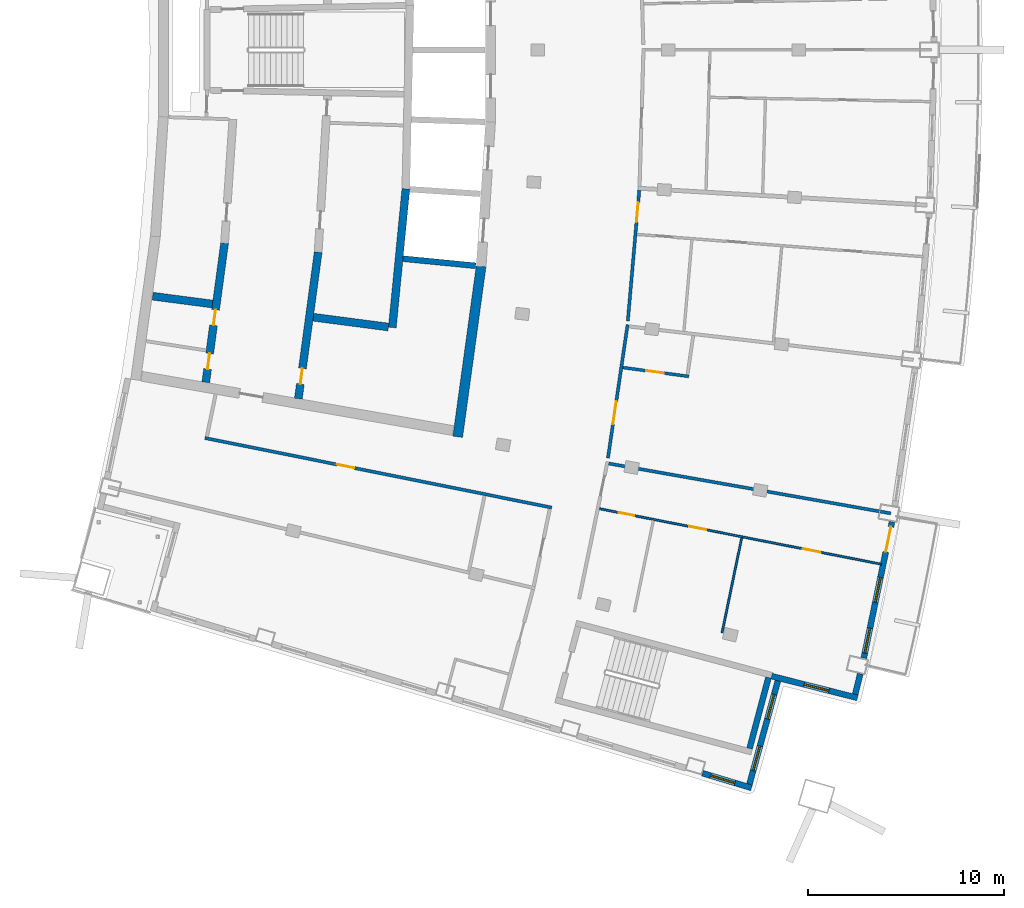
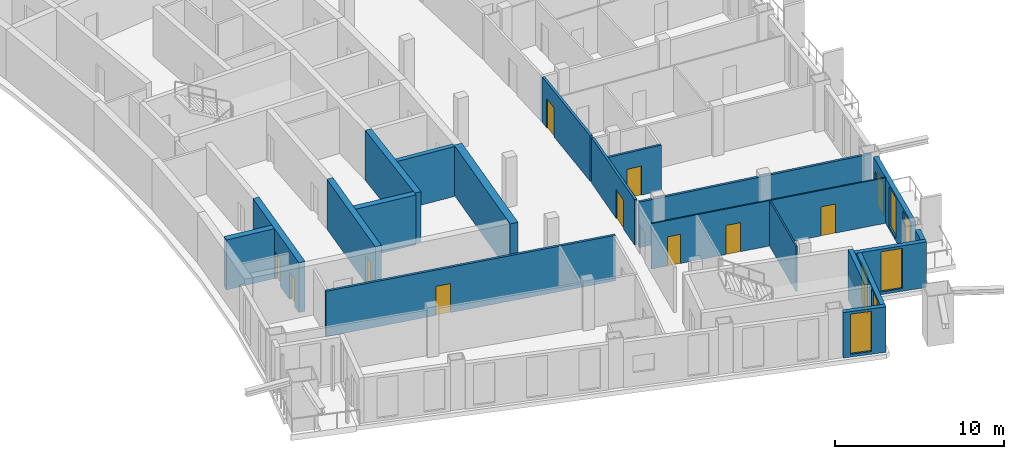
# One storey, part 6 of 15: 20 walls, 11 doors, 6 windows, 17 openings.
"""IFC4 building model written with IfcOpenShell, lengths in metres."""

from ifc_helpers import new_model, si_unit, direction, frame, frame_2d, origin, place, context, subcontext, project, spatial, rectangle, extrude, material, layer, layer_set, type_object, element, fill, save


model = new_model("IFC4")

# Units and contexts
model_context = context("Model", 3, precision=1e-05, world=origin(), true_north=direction((0.0, 1.0)))
body_context = subcontext(model_context, "Body", "Model", "MODEL_VIEW")
ifc_project = project(units=[si_unit("LENGTHUNIT", "METRE"), si_unit("AREAUNIT", "SQUARE_METRE"), si_unit("VOLUMEUNIT", "CUBIC_METRE"), si_unit("PLANEANGLEUNIT", "RADIAN"), si_unit("MASSUNIT", "GRAM", prefix="KILO")], contexts=[model_context])

# Site, building, storey
site_placement = place(None, origin())
site = spatial("IfcSite", under=ifc_project, at=site_placement, CompositionType="ELEMENT")
building_placement = place(site_placement, origin())
building = spatial("IfcBuilding", under=site, at=building_placement, Name="Alderwake Tower", CompositionType="ELEMENT")
storey_placement = place(building_placement, frame((0.0, 0.0, 285.199951171875)))
storey = spatial("IfcBuildingStorey", under=building, at=storey_placement, Name="L71", CompositionType="ELEMENT", Elevation=285.199951171875)

# Walls
ifc_material_1 = material(Name="Concrete C70/85", Category="concrete")
ifc_layer_1 = layer(ifc_material_1, 0.5)
ifc_layer_set_1 = layer_set([ifc_layer_1], Name="Core wall outer 500 C70-85")
wall_type_1 = type_object("IfcWallType", Name="Core wall outer 500 C70-85", PredefinedType="SHEAR", material=ifc_layer_set_1)
wall_1_placement = place(storey_placement, frame((31.71728515625, 41.247314453125, 0.0), z_axis=(0.0, 0.0, 1.0), x_axis=(0.1358539401, 0.990728876615, 0.0)))
element("IfcWall", 1, at=wall_1_placement, inside=storey, type_object=wall_type_1, Name="Core wall CW.022", PredefinedType="SHEAR", context=body_context, shape_type="SweptSolid", body=[
    extrude(rectangle(XDim=8.794921875, YDim=0.5, at=frame_2d((4.3974609375, 0.0))), origin(), (0.0, 0.0, 1.0), 3.60009765625),
])
ifc_material_2 = material(Name="Concrete C70/85", Category="concrete")
ifc_layer_2 = layer(ifc_material_2, 0.300048828125)
ifc_layer_set_2 = layer_set([ifc_layer_2], Name="Core wall shaft 300 C70-85")
wall_type_2 = type_object("IfcWallType", Name="Core wall shaft 300 C70-85", PredefinedType="SHEAR", material=ifc_layer_set_2)
wall_2_placement = place(storey_placement, frame((28.922119140625, 50.341796875, 0.0), z_axis=(0.0, 0.0, 1.0), x_axis=(0.995245719762, -0.097395879255, 0.0)))
element("IfcWall", 2, at=wall_2_placement, inside=storey, type_object=wall_type_2, Name="Core wall CW.064", PredefinedType="SHEAR", context=body_context, shape_type="SweptSolid", body=[
    extrude(rectangle(XDim=3.7275390625, YDim=0.300048828125, at=frame_2d((1.86376953125, 0.0))), origin(), (0.0, 0.0, 1.0), 3.60009765625),
])

# Wall, openings, doors
ifc_material_3 = material(Name="Concrete C70/85", Category="concrete")
ifc_layer_3 = layer(ifc_material_3, 0.39990234375)
ifc_layer_set_3 = layer_set([ifc_layer_3], Name="Core wall spine 400 C70-85")
wall_type_3 = type_object("IfcWallType", Name="Core wall spine 400 C70-85", PredefinedType="SHEAR", material=ifc_layer_set_3)
wall_3_placement = place(storey_placement, frame((19.814697265625, 51.143798828125, 0.0), z_axis=(0.0, 0.0, 1.0), x_axis=(-0.133823115837, -0.991005233925, 0.0)))
wall_3 = element("IfcWall", 3, at=wall_3_placement, inside=storey, type_object=wall_type_3, Name="Core wall CW.033", PredefinedType="SHEAR", context=body_context, shape_type="SweptSolid", body=[
    extrude(rectangle(XDim=7.1787109375, YDim=0.39990234375, at=frame_2d((3.58935546875, 0.0))), origin(), (0.0, 0.0, 1.0), 3.60009765625),
])
opening_1_placement = place(wall_3_placement, frame((5.69677734375, 0.0, 0.0)))
opening_1 = element("IfcOpeningElement", 4, at=opening_1_placement, cuts=wall_3, Name="Opening C009", PredefinedType="OPENING", context=body_context, shape_type="SweptSolid", body=[
    extrude(rectangle(XDim=0.800048828125, YDim=2.0, at=frame_2d((0.39990234375, 1.0))), frame((0.0, 0.2099609375, 0.0), z_axis=(0.0, -1.0, 0.0), x_axis=(1.0, 0.0, 0.0)), (0.0, 0.0, 1.0), 0.419921875),
])
opening_2_placement = place(wall_3_placement, frame((3.443115234375, 0.0, 0.0)))
opening_2 = element("IfcOpeningElement", 5, at=opening_2_placement, cuts=wall_3, Name="Opening C010", PredefinedType="OPENING", context=body_context, shape_type="SweptSolid", body=[
    extrude(rectangle(XDim=0.800048828125, YDim=2.0, at=frame_2d((0.39990234375, 1.0))), frame((0.0, 0.2099609375, 0.0), z_axis=(0.0, -1.0, 0.0), x_axis=(1.0, 0.0, 0.0)), (0.0, 0.0, 1.0), 0.419921875),
])
ifc_material_4 = material(Name="Painted steel leaf, rated", Category="steel")
door_type_1 = type_object("IfcDoorType", Name="Riser access door 800", OperationType="SINGLE_SWING_LEFT", PredefinedType="DOOR", material=ifc_material_4)
door_1_placement = place(opening_1_placement, origin())
door_1 = element("IfcDoor", 6, at=door_1_placement, inside=storey, type_object=door_type_1, Name="Riser access door", OperationType="SINGLE_SWING_LEFT", OverallHeight=2.0, OverallWidth=0.800048828125, PredefinedType="DOOR", context=body_context, shape_type="SweptSolid", body=[
    extrude(rectangle(XDim=0.800048828125, YDim=2.0, at=frame_2d((0.39990234375, 1.0))), frame((0.0, 0.02490234375, 0.0), z_axis=(0.0, -1.0, 0.0), x_axis=(1.0, 0.0, 0.0)), (0.0, 0.0, 1.0), 0.050048828125),
])
fill(opening_1, door_1)
door_2_placement = place(opening_2_placement, origin())
door_2 = element("IfcDoor", 7, at=door_2_placement, inside=storey, type_object=door_type_1, Name="Riser access door", OperationType="SINGLE_SWING_RIGHT", OverallHeight=2.0, OverallWidth=0.800048828125, PredefinedType="DOOR", context=body_context, shape_type="SweptSolid", body=[
    extrude(rectangle(XDim=0.800048828125, YDim=2.0, at=frame_2d((0.39990234375, 1.0))), frame((0.0, 0.02490234375, 0.0), z_axis=(0.0, -1.0, 0.0), x_axis=(1.0, 0.0, 0.0)), (0.0, 0.0, 1.0), 0.050048828125),
])
fill(opening_2, door_2)

# Wall, opening, door
wall_4_placement = place(storey_placement, frame((23.58056640625, 43.19384765625, 0.0), z_axis=(0.0, 0.0, 1.0), x_axis=(0.133962545762, 0.990986395635, 0.0)))
wall_4 = element("IfcWall", 8, at=wall_4_placement, inside=storey, type_object=wall_type_3, Name="Core wall CW.047", PredefinedType="SHEAR", context=body_context, shape_type="SweptSolid", body=[
    extrude(rectangle(XDim=7.546875, YDim=0.39990234375, at=frame_2d((3.7734375, 0.0))), origin(), (0.0, 0.0, 1.0), 3.60009765625),
])
opening_3_placement = place(wall_4_placement, frame((0.7578125, 0.0, 0.0)))
opening_3 = element("IfcOpeningElement", 9, at=opening_3_placement, cuts=wall_4, Name="Opening C013", PredefinedType="OPENING", context=body_context, shape_type="SweptSolid", body=[
    extrude(rectangle(XDim=0.800048828125, YDim=2.0, at=frame_2d((0.39990234375, 1.0))), frame((0.0, 0.2099609375, 0.0), z_axis=(0.0, -1.0, 0.0), x_axis=(1.0, 0.0, 0.0)), (0.0, 0.0, 1.0), 0.419921875),
])
door_3_placement = place(opening_3_placement, origin())
door_3 = element("IfcDoor", 10, at=door_3_placement, inside=storey, type_object=door_type_1, Name="Riser access door", OperationType="SINGLE_SWING_LEFT", OverallHeight=2.0, OverallWidth=0.800048828125, PredefinedType="DOOR", context=body_context, shape_type="SweptSolid", body=[
    extrude(rectangle(XDim=0.800048828125, YDim=2.0, at=frame_2d((0.39990234375, 1.0))), frame((0.0, 0.02490234375, 0.0), z_axis=(0.0, -1.0, 0.0), x_axis=(1.0, 0.0, 0.0)), (0.0, 0.0, 1.0), 0.050048828125),
])
fill(opening_3, door_3)

# Walls
wall_5_placement = place(storey_placement, frame((28.376953125, 46.8251953125, 0.0), z_axis=(0.0, 0.0, 1.0), x_axis=(0.097393469943, 0.995245955537, 0.0)))
element("IfcWall", 11, at=wall_5_placement, inside=storey, type_object=wall_type_3, Name="Core wall CW.005", PredefinedType="SHEAR", context=body_context, shape_type="SweptSolid", body=[
    extrude(rectangle(XDim=7.1142578125, YDim=0.39990234375, at=frame_2d((3.55712890625, 0.0))), origin(), (0.0, 0.0, 1.0), 3.60009765625),
])
wall_6_placement = place(storey_placement, frame((16.142578125, 48.42529296875, 0.0), z_axis=(0.0, 0.0, 1.0), x_axis=(0.991550757989, -0.129719290517, 0.0)))
element("IfcWall", 12, at=wall_6_placement, inside=storey, type_object=wall_type_3, Name="Core wall CW.067", PredefinedType="SHEAR", context=body_context, shape_type="SweptSolid", body=[
    extrude(rectangle(XDim=3.0751953125, YDim=0.39990234375, at=frame_2d((1.53759765625, 0.0))), origin(), (0.0, 0.0, 1.0), 3.60009765625),
])
wall_7_placement = place(storey_placement, frame((24.344482421875, 47.3525390625, 0.0), z_axis=(0.0, 0.0, 1.0), x_axis=(0.991554578278, -0.12969008557, 0.0)))
element("IfcWall", 13, at=wall_7_placement, inside=storey, type_object=wall_type_3, Name="Core wall CW.069", PredefinedType="SHEAR", context=body_context, shape_type="SweptSolid", body=[
    extrude(rectangle(XDim=3.86669921875, YDim=0.39990234375, at=frame_2d((1.933349609375, 0.0))), origin(), (0.0, 0.0, 1.0), 3.60009765625),
])
ifc_material_5 = material(Name="Concrete C70/85", Category="concrete")
ifc_layer_4 = layer(ifc_material_5, 0.300048828125)
ifc_layer_set_4 = layer_set([ifc_layer_4], Name="Core wall stair enclosure 300 C70-85")
wall_type_4 = type_object("IfcWallType", Name="Core wall stair enclosure 300 C70-85", PredefinedType="SHEAR", material=ifc_layer_set_4)
wall_8_placement = place(storey_placement, frame((46.6162109375, 25.334716796875, 0.0), z_axis=(0.0, 0.0, 1.0), x_axis=(0.257366821694, 0.966313778796, 0.0)))
element("IfcWall", 14, at=wall_8_placement, inside=storey, type_object=wall_type_4, Name="Core wall CW.085", PredefinedType="SHEAR", context=body_context, shape_type="SweptSolid", body=[
    extrude(rectangle(XDim=3.749755859375, YDim=0.300048828125, at=frame_2d((1.875, 0.0))), origin(), (0.0, 0.0, 1.0), 3.60009765625),
])

# Wall, opening, door
ifc_material_6 = material(Name="Gypsum board on metal studs, rated")
ifc_layer_5 = layer(ifc_material_6, 0.159912109375)
ifc_layer_set_5 = layer_set([ifc_layer_5], Name="Corridor wall 160")
wall_type_5 = type_object("IfcWallType", Name="Corridor wall 160", PredefinedType="PARTITIONING", material=ifc_layer_set_5)
wall_9_placement = place(storey_placement, frame((36.513427734375, 37.63427734375, 0.0), z_axis=(0.0, 0.0, 1.0), x_axis=(-0.980470254867, 0.1966674333, 0.0)))
wall_9 = element("IfcWall", 15, at=wall_9_placement, inside=storey, type_object=wall_type_5, Name="WL/L71/W10", PredefinedType="PARTITIONING", context=body_context, shape_type="SweptSolid", body=[
    extrude(rectangle(XDim=18.053466796875, YDim=0.159912109375, at=frame_2d((9.02685546875, 0.0))), origin(), (0.0, 0.0, 1.0), 3.280029296875),
])
opening_4_placement = place(wall_9_placement, frame((10.277099609375, 0.0, 0.0)))
opening_4 = element("IfcOpeningElement", 16, at=opening_4_placement, cuts=wall_9, Name="Opening R20-SBS1", PredefinedType="OPENING", context=body_context, shape_type="SweptSolid", body=[
    extrude(rectangle(XDim=0.89990234375, YDim=2.10009765625, at=frame_2d((0.449951171875, 1.050048828125))), frame((0.0, 0.08984375, 0.0), z_axis=(0.0, -1.0, 0.0), x_axis=(1.0, 0.0, 0.0)), (0.0, 0.0, 1.0), 0.179931640625),
])
ifc_material_7 = material(Name="Painted timber leaf", Category="wood")
door_type_2 = type_object("IfcDoorType", Name="Room door 900", OperationType="SINGLE_SWING_LEFT", PredefinedType="DOOR", material=ifc_material_7)
door_4_placement = place(opening_4_placement, origin())
door_4 = element("IfcDoor", 17, at=door_4_placement, inside=storey, type_object=door_type_2, Name="DR/L71/SBS1", OperationType="SINGLE_SWING_LEFT", OverallHeight=2.10009765625, OverallWidth=0.89990234375, PredefinedType="DOOR", context=body_context, shape_type="SweptSolid", body=[
    extrude(rectangle(XDim=0.89990234375, YDim=2.10009765625, at=frame_2d((0.449951171875, 1.050048828125))), frame((0.0, 0.02490234375, 0.0), z_axis=(0.0, -1.0, 0.0), x_axis=(1.0, 0.0, 0.0)), (0.0, 0.0, 1.0), 0.050048828125),
])
fill(opening_4, door_4)

wall_10_placement = place(storey_placement, frame((40.388671875, 46.97216796875, 0.0), z_axis=(0.0, 0.0, 1.0), x_axis=(-0.145535848078, -0.989352978933, 0.0)))
wall_10 = element("IfcWall", 18, at=wall_10_placement, inside=storey, type_object=wall_type_5, Name="WL/L71/W19", PredefinedType="PARTITIONING", context=body_context, shape_type="SweptSolid", body=[
    extrude(rectangle(XDim=6.884521484375, YDim=0.159912109375, at=frame_2d((3.4423828125, 0.0))), origin(), (0.0, 0.0, 1.0), 3.280029296875),
])
opening_5_placement = place(wall_10_placement, frame((3.943115234375, 0.0, 0.0)))
opening_5 = element("IfcOpeningElement", 19, at=opening_5_placement, cuts=wall_10, Name="Opening R20-AM1.1", PredefinedType="OPENING", context=body_context, shape_type="SweptSolid", body=[
    extrude(rectangle(XDim=1.199951171875, YDim=2.10009765625, at=frame_2d((0.60009765625, 1.050048828125))), frame((0.0, 0.08984375, 0.0), z_axis=(0.0, -1.0, 0.0), x_axis=(1.0, 0.0, 0.0)), (0.0, 0.0, 1.0), 0.179931640625),
])
ifc_material_8 = material(Name="Steel-framed fire door leaf", Category="steel")
door_type_3 = type_object("IfcDoorType", Name="Lobby door 1200 fire-rated", OperationType="SINGLE_SWING_LEFT", PredefinedType="DOOR", material=ifc_material_8)
door_5_placement = place(opening_5_placement, origin())
door_5 = element("IfcDoor", 20, at=door_5_placement, inside=storey, type_object=door_type_3, Name="DR/L71/AM1.1", OperationType="SINGLE_SWING_LEFT", OverallHeight=2.10009765625, OverallWidth=1.199951171875, PredefinedType="DOOR", context=body_context, shape_type="SweptSolid", body=[
    extrude(rectangle(XDim=1.199951171875, YDim=2.10009765625, at=frame_2d((0.60009765625, 1.050048828125))), frame((0.0, 0.02490234375, 0.0), z_axis=(0.0, -1.0, 0.0), x_axis=(1.0, 0.0, 0.0)), (0.0, 0.0, 1.0), 0.050048828125),
])
fill(opening_5, door_5)

wall_11_placement = place(storey_placement, frame((40.986328125, 53.834228515625, 0.0), z_axis=(0.0, 0.0, 1.0), x_axis=(-0.087437661692, -0.996169993183, 0.0)))
wall_11 = element("IfcWall", 21, at=wall_11_placement, inside=storey, type_object=wall_type_5, Name="WL/L71/W21", PredefinedType="PARTITIONING", context=body_context, shape_type="SweptSolid", body=[
    extrude(rectangle(XDim=6.701171875, YDim=0.159912109375, at=frame_2d((3.3505859375, 0.0))), origin(), (0.0, 0.0, 1.0), 3.280029296875),
])
opening_6_placement = place(wall_11_placement, frame((0.628173828125, 0.0, 0.0)))
opening_6 = element("IfcOpeningElement", 22, at=opening_6_placement, cuts=wall_11, Name="Opening R20-U04.2", PredefinedType="OPENING", context=body_context, shape_type="SweptSolid", body=[
    extrude(rectangle(XDim=1.0, YDim=2.10009765625, at=frame_2d((0.5, 1.050048828125))), frame((0.0, 0.08984375, 0.0), z_axis=(0.0, -1.0, 0.0), x_axis=(1.0, 0.0, 0.0)), (0.0, 0.0, 1.0), 0.179931640625),
])
ifc_material_9 = material(Name="Solid timber leaf in steel frame", Category="steel")
door_type_4 = type_object("IfcDoorType", Name="Flat entrance door 1000 fire-rated", OperationType="SINGLE_SWING_LEFT", PredefinedType="DOOR", material=ifc_material_9)
door_6_placement = place(opening_6_placement, origin())
door_6 = element("IfcDoor", 23, at=door_6_placement, inside=storey, type_object=door_type_4, Name="DR/L71/U04.2", OperationType="SINGLE_SWING_LEFT", OverallHeight=2.10009765625, OverallWidth=1.0, PredefinedType="DOOR", context=body_context, shape_type="SweptSolid", body=[
    extrude(rectangle(XDim=1.0, YDim=2.10009765625, at=frame_2d((0.5, 1.050048828125))), frame((0.0, 0.02490234375, 0.0), z_axis=(0.0, -1.0, 0.0), x_axis=(1.0, 0.0, 0.0)), (0.0, 0.0, 1.0), 0.050048828125),
])
fill(opening_6, door_6)

# Walls
wall_12_placement = place(storey_placement, frame((53.822998046875, 37.337890625, 0.0), z_axis=(0.0, 0.0, 1.0), x_axis=(-0.984729040403, 0.174093988946, 0.0)))
element("IfcWall", 24, at=wall_12_placement, inside=storey, type_object=wall_type_5, Name="WL/L71/W26", PredefinedType="PARTITIONING", context=body_context, shape_type="SweptSolid", body=[
    extrude(rectangle(XDim=14.619384765625, YDim=0.159912109375, at=frame_2d((7.3095703125, 0.0))), origin(), (0.0, 0.0, 1.0), 3.280029296875),
])
ifc_material_10 = material(Name="Precast concrete C50/60 spandrel panel", Category="concrete")
ifc_layer_6 = layer(ifc_material_10, 0.300048828125)
ifc_layer_set_6 = layer_set([ifc_layer_6], Name="External wall EW1 Precast concrete C50/60 spandrel")
wall_type_6 = type_object("IfcWallType", Name="External wall EW1 Precast concrete C50/60 spandrel", PredefinedType="SOLIDWALL", material=ifc_layer_set_6)
wall_13_placement = place(storey_placement, frame((52.009521484375, 28.10107421875, 0.0), z_axis=(0.0, 0.0, 1.0), x_axis=(0.238378653111, 0.971172290452, 0.0)))
element("IfcWall", 25, at=wall_13_placement, inside=storey, type_object=wall_type_6, Name="External wall 11", PredefinedType="SOLIDWALL", context=body_context, shape_type="SweptSolid", body=[
    extrude(rectangle(XDim=1.078369140625, YDim=0.300048828125, at=frame_2d((0.5390625, 0.0))), origin(), (0.0, 0.0, 1.0), 3.280029296875),
])

# Wall, openings, door, windows
wall_14_placement = place(storey_placement, frame((52.448486328125, 29.955078125, 0.0), z_axis=(0.0, 0.0, 1.0), x_axis=(0.202764970436, 0.979227433625, 0.0)))
wall_14 = element("IfcWall", 26, at=wall_14_placement, inside=storey, type_object=wall_type_6, Name="External wall 12", PredefinedType="SOLIDWALL", context=body_context, shape_type="SweptSolid", body=[
    extrude(rectangle(XDim=7.091796875, YDim=0.300048828125, at=frame_2d((3.5458984375, 0.0))), origin(), (0.0, 0.0, 1.0), 3.280029296875),
])
opening_7_placement = place(wall_14_placement, frame((0.255615234375, 0.0, 0.199951171875)))
opening_7 = element("IfcOpeningElement", 27, at=opening_7_placement, cuts=wall_14, Name="Opening W1", PredefinedType="OPENING", context=body_context, shape_type="SweptSolid", body=[
    extrude(rectangle(XDim=1.300048828125, YDim=2.89990234375, at=frame_2d((0.64990234375, 1.449951171875))), frame((0.0, 0.159912109375, 0.0), z_axis=(0.0, -1.0, 0.0), x_axis=(1.0, 0.0, 0.0)), (0.0, 0.0, 1.0), 0.320068359375),
])
opening_8_placement = place(wall_14_placement, frame((2.895751953125, 0.0, 0.199951171875)))
opening_8 = element("IfcOpeningElement", 28, at=opening_8_placement, cuts=wall_14, Name="Opening W1", PredefinedType="OPENING", context=body_context, shape_type="SweptSolid", body=[
    extrude(rectangle(XDim=1.300048828125, YDim=2.89990234375, at=frame_2d((0.64990234375, 1.449951171875))), frame((0.0, 0.159912109375, 0.0), z_axis=(0.0, -1.0, 0.0), x_axis=(1.0, 0.0, 0.0)), (0.0, 0.0, 1.0), 0.320068359375),
])
opening_9_placement = place(wall_14_placement, frame((5.535888671875, 0.0, 0.0)))
opening_9 = element("IfcOpeningElement", 29, at=opening_9_placement, cuts=wall_14, Name="Opening D02", PredefinedType="OPENING", context=body_context, shape_type="SweptSolid", body=[
    extrude(rectangle(XDim=1.300048828125, YDim=2.39990234375, at=frame_2d((0.64990234375, 1.199951171875))), frame((0.0, 0.159912109375, 0.0), z_axis=(0.0, -1.0, 0.0), x_axis=(1.0, 0.0, 0.0)), (0.0, 0.0, 1.0), 0.320068359375),
])
ifc_material_11 = material(Name="Bronze tinted glass in aluminium frame", Category="aluminium")
door_type_5 = type_object("IfcDoorType", Name="Balcony door BD sliding", OperationType="SLIDING_TO_LEFT", PredefinedType="DOOR", material=ifc_material_11)
door_7_placement = place(opening_9_placement, origin())
door_7 = element("IfcDoor", 30, at=door_7_placement, inside=storey, type_object=door_type_5, Name="Door D02", OperationType="SLIDING_TO_LEFT", OverallHeight=2.39990234375, OverallWidth=1.300048828125, PredefinedType="DOOR", context=body_context, shape_type="SweptSolid", body=[
    extrude(rectangle(XDim=1.300048828125, YDim=2.39990234375, at=frame_2d((0.64990234375, 1.199951171875))), frame((0.0, 0.02490234375, 0.0), z_axis=(0.0, -1.0, 0.0), x_axis=(1.0, 0.0, 0.0)), (0.0, 0.0, 1.0), 0.050048828125),
])
fill(opening_9, door_7)
ifc_material_12 = material(Name="Bronze tinted glass in aluminium frame", Category="aluminium")
window_type = type_object("IfcWindowType", Name="Window W1 tall fixed and vent", PartitioningType="DOUBLE_PANEL_VERTICAL", PredefinedType="WINDOW", material=ifc_material_12)
window_1_placement = place(opening_7_placement, origin())
window_1 = element("IfcWindow", 31, at=window_1_placement, inside=storey, type_object=window_type, Name="Window W1 tall fixed and vent", OverallHeight=2.89990234375, OverallWidth=1.300048828125, PartitioningType="DOUBLE_PANEL_VERTICAL", PredefinedType="WINDOW", context=body_context, shape_type="SweptSolid", body=[
    extrude(rectangle(XDim=1.300048828125, YDim=2.89990234375, at=frame_2d((0.64990234375, 1.449951171875))), frame((0.0, 0.030029296875, 0.0), z_axis=(0.0, -1.0, 0.0), x_axis=(1.0, 0.0, 0.0)), (0.0, 0.0, 1.0), 0.06005859375),
])
fill(opening_7, window_1)
window_2_placement = place(opening_8_placement, origin())
window_2 = element("IfcWindow", 32, at=window_2_placement, inside=storey, type_object=window_type, Name="Window W1 tall fixed and vent", OverallHeight=2.89990234375, OverallWidth=1.300048828125, PartitioningType="DOUBLE_PANEL_VERTICAL", PredefinedType="WINDOW", context=body_context, shape_type="SweptSolid", body=[
    extrude(rectangle(XDim=1.300048828125, YDim=2.89990234375, at=frame_2d((0.64990234375, 1.449951171875))), frame((0.0, 0.030029296875, 0.0), z_axis=(0.0, -1.0, 0.0), x_axis=(1.0, 0.0, 0.0)), (0.0, 0.0, 1.0), 0.06005859375),
])
fill(opening_8, window_2)

# Wall, opening, window
ifc_material_13 = material(Name="Bronze metal cladding on lightweight framing")
ifc_layer_7 = layer(ifc_material_13, 0.300048828125)
ifc_layer_set_7 = layer_set([ifc_layer_7], Name="External wall EW2 bronze metal cladding")
wall_type_7 = type_object("IfcWallType", Name="External wall EW2 bronze metal cladding", PredefinedType="SOLIDWALL", material=ifc_layer_set_7)
wall_15_placement = place(storey_placement, frame((44.21142578125, 24.073486328125, 0.0), z_axis=(0.0, 0.0, 1.0), x_axis=(0.957782557739, -0.287493603567, 0.0)))
wall_15 = element("IfcWall", 33, at=wall_15_placement, inside=storey, type_object=wall_type_7, Name="External wall 8", PredefinedType="SOLIDWALL", context=body_context, shape_type="SweptSolid", body=[
    extrude(rectangle(XDim=2.613037109375, YDim=0.300048828125, at=frame_2d((1.306640625, 0.0))), origin(), (0.0, 0.0, 1.0), 3.280029296875),
])
opening_10_placement = place(wall_15_placement, frame((0.4306640625, 0.0, 0.199951171875)))
opening_10 = element("IfcOpeningElement", 34, at=opening_10_placement, cuts=wall_15, Name="Opening W1", PredefinedType="OPENING", context=body_context, shape_type="SweptSolid", body=[
    extrude(rectangle(XDim=1.300048828125, YDim=2.89990234375, at=frame_2d((0.64990234375, 1.449951171875))), frame((0.0, 0.159912109375, 0.0), z_axis=(0.0, -1.0, 0.0), x_axis=(1.0, 0.0, 0.0)), (0.0, 0.0, 1.0), 0.320068359375),
])
window_3_placement = place(opening_10_placement, origin())
window_3 = element("IfcWindow", 35, at=window_3_placement, inside=storey, type_object=window_type, Name="Window W1 tall fixed and vent", OverallHeight=2.89990234375, OverallWidth=1.300048828125, PartitioningType="DOUBLE_PANEL_VERTICAL", PredefinedType="WINDOW", context=body_context, shape_type="SweptSolid", body=[
    extrude(rectangle(XDim=1.300048828125, YDim=2.89990234375, at=frame_2d((0.64990234375, 1.449951171875))), frame((0.0, 0.030029296875, 0.0), z_axis=(0.0, -1.0, 0.0), x_axis=(1.0, 0.0, 0.0)), (0.0, 0.0, 1.0), 0.06005859375),
])
fill(opening_10, window_3)

# Wall, openings, windows
wall_16_placement = place(storey_placement, frame((46.610107421875, 23.510009765625, 0.0), z_axis=(0.0, 0.0, 1.0), x_axis=(0.265093283519, 0.964222770439, 0.0)))
wall_16 = element("IfcWall", 36, at=wall_16_placement, inside=storey, type_object=wall_type_7, Name="External wall 9", PredefinedType="SOLIDWALL", context=body_context, shape_type="SweptSolid", body=[
    extrude(rectangle(XDim=5.47705078125, YDim=0.300048828125, at=frame_2d((2.738525390625, 0.0))), origin(), (0.0, 0.0, 1.0), 3.280029296875),
])
opening_11_placement = place(wall_16_placement, frame((0.71923828125, 0.0, 0.199951171875)))
opening_11 = element("IfcOpeningElement", 37, at=opening_11_placement, cuts=wall_16, Name="Opening W1", PredefinedType="OPENING", context=body_context, shape_type="SweptSolid", body=[
    extrude(rectangle(XDim=1.300048828125, YDim=2.89990234375, at=frame_2d((0.64990234375, 1.449951171875))), frame((0.0, 0.159912109375, 0.0), z_axis=(0.0, -1.0, 0.0), x_axis=(1.0, 0.0, 0.0)), (0.0, 0.0, 1.0), 0.320068359375),
])
opening_12_placement = place(wall_16_placement, frame((3.45751953125, 0.0, 0.199951171875)))
opening_12 = element("IfcOpeningElement", 38, at=opening_12_placement, cuts=wall_16, Name="Opening W1", PredefinedType="OPENING", context=body_context, shape_type="SweptSolid", body=[
    extrude(rectangle(XDim=1.300048828125, YDim=2.89990234375, at=frame_2d((0.64990234375, 1.449951171875))), frame((0.0, 0.159912109375, 0.0), z_axis=(0.0, -1.0, 0.0), x_axis=(1.0, 0.0, 0.0)), (0.0, 0.0, 1.0), 0.320068359375),
])
window_4_placement = place(opening_11_placement, origin())
window_4 = element("IfcWindow", 39, at=window_4_placement, inside=storey, type_object=window_type, Name="Window W1 tall fixed and vent", OverallHeight=2.89990234375, OverallWidth=1.300048828125, PartitioningType="DOUBLE_PANEL_VERTICAL", PredefinedType="WINDOW", context=body_context, shape_type="SweptSolid", body=[
    extrude(rectangle(XDim=1.300048828125, YDim=2.89990234375, at=frame_2d((0.64990234375, 1.449951171875))), frame((0.0, 0.030029296875, 0.0), z_axis=(0.0, -1.0, 0.0), x_axis=(1.0, 0.0, 0.0)), (0.0, 0.0, 1.0), 0.06005859375),
])
fill(opening_11, window_4)
window_5_placement = place(opening_12_placement, origin())
window_5 = element("IfcWindow", 40, at=window_5_placement, inside=storey, type_object=window_type, Name="Window W1 tall fixed and vent", OverallHeight=2.89990234375, OverallWidth=1.300048828125, PartitioningType="DOUBLE_PANEL_VERTICAL", PredefinedType="WINDOW", context=body_context, shape_type="SweptSolid", body=[
    extrude(rectangle(XDim=1.300048828125, YDim=2.89990234375, at=frame_2d((0.64990234375, 1.449951171875))), frame((0.0, 0.030029296875, 0.0), z_axis=(0.0, -1.0, 0.0), x_axis=(1.0, 0.0, 0.0)), (0.0, 0.0, 1.0), 0.06005859375),
])
fill(opening_12, window_5)

# Wall, opening, window
wall_17_placement = place(storey_placement, frame((47.7412109375, 29.026611328125, 0.0), z_axis=(0.0, 0.0, 1.0), x_axis=(0.969425979611, -0.245383923793, 0.0)))
wall_17 = element("IfcWall", 41, at=wall_17_placement, inside=storey, type_object=wall_type_7, Name="External wall 10", PredefinedType="SOLIDWALL", context=body_context, shape_type="SweptSolid", body=[
    extrude(rectangle(XDim=4.51611328125, YDim=0.300048828125, at=frame_2d((2.258056640625, 0.0))), origin(), (0.0, 0.0, 1.0), 3.280029296875),
])
opening_13_placement = place(wall_17_placement, frame((1.718994140625, 0.0, 0.199951171875)))
opening_13 = element("IfcOpeningElement", 42, at=opening_13_placement, cuts=wall_17, Name="Opening W1", PredefinedType="OPENING", context=body_context, shape_type="SweptSolid", body=[
    extrude(rectangle(XDim=1.300048828125, YDim=2.89990234375, at=frame_2d((0.64990234375, 1.449951171875))), frame((0.0, 0.159912109375, 0.0), z_axis=(0.0, -1.0, 0.0), x_axis=(1.0, 0.0, 0.0)), (0.0, 0.0, 1.0), 0.320068359375),
])
window_6_placement = place(opening_13_placement, origin())
window_6 = element("IfcWindow", 43, at=window_6_placement, inside=storey, type_object=window_type, Name="Window W1 tall fixed and vent", OverallHeight=2.89990234375, OverallWidth=1.300048828125, PartitioningType="DOUBLE_PANEL_VERTICAL", PredefinedType="WINDOW", context=body_context, shape_type="SweptSolid", body=[
    extrude(rectangle(XDim=1.300048828125, YDim=2.89990234375, at=frame_2d((0.64990234375, 1.449951171875))), frame((0.0, 0.030029296875, 0.0), z_axis=(0.0, -1.0, 0.0), x_axis=(1.0, 0.0, 0.0)), (0.0, 0.0, 1.0), 0.06005859375),
])
fill(opening_13, window_6)

# Wall, opening, door
ifc_material_14 = material(Name="Gypsum shaft wall system, rated")
ifc_layer_8 = layer(ifc_material_14, 0.14990234375)
ifc_layer_set_8 = layer_set([ifc_layer_8], Name="Riser and shaft wall 150")
wall_type_8 = type_object("IfcWallType", Name="Riser and shaft wall 150", PredefinedType="PARTITIONING", material=ifc_layer_set_8)
wall_18_placement = place(storey_placement, frame((40.147216796875, 44.7822265625, 0.0), z_axis=(0.0, 0.0, 1.0), x_axis=(0.991087891329, -0.133209577962, 0.0)))
wall_18 = element("IfcWall", 44, at=wall_18_placement, inside=storey, type_object=wall_type_8, Name="WL/L71/W06", PredefinedType="PARTITIONING", context=body_context, shape_type="SweptSolid", body=[
    extrude(rectangle(XDim=3.394287109375, YDim=0.14990234375, at=frame_2d((1.697265625, 0.0))), origin(), (0.0, 0.0, 1.0), 3.280029296875),
])
opening_14_placement = place(wall_18_placement, frame((1.209228515625, 0.0, 0.0)))
opening_14 = element("IfcOpeningElement", 45, at=opening_14_placement, cuts=wall_18, Name="Opening R20-AM1.2", PredefinedType="OPENING", context=body_context, shape_type="SweptSolid", body=[
    extrude(rectangle(XDim=0.89990234375, YDim=2.10009765625, at=frame_2d((0.449951171875, 1.050048828125))), frame((0.0, 0.0849609375, 0.0), z_axis=(0.0, -1.0, 0.0), x_axis=(1.0, 0.0, 0.0)), (0.0, 0.0, 1.0), 0.169921875),
])
door_8_placement = place(opening_14_placement, origin())
door_8 = element("IfcDoor", 46, at=door_8_placement, inside=storey, type_object=door_type_2, Name="DR/L71/AM1.2", OperationType="SINGLE_SWING_LEFT", OverallHeight=2.10009765625, OverallWidth=0.89990234375, PredefinedType="DOOR", context=body_context, shape_type="SweptSolid", body=[
    extrude(rectangle(XDim=0.89990234375, YDim=2.10009765625, at=frame_2d((0.449951171875, 1.050048828125))), frame((0.0, 0.02490234375, 0.0), z_axis=(0.0, -1.0, 0.0), x_axis=(1.0, 0.0, 0.0)), (0.0, 0.0, 1.0), 0.050048828125),
])
fill(opening_14, door_8)

# Wall, openings, doors
ifc_material_15 = material(Name="Gypsum board on metal studs")
ifc_layer_9 = layer(ifc_material_15, 0.10009765625)
ifc_layer_set_9 = layer_set([ifc_layer_9], Name="Unit partition 100")
wall_type_9 = type_object("IfcWallType", Name="Unit partition 100", PredefinedType="PARTITIONING", material=ifc_layer_set_9)
wall_19_placement = place(storey_placement, frame((53.3369140625, 34.742919921875, 0.0), z_axis=(0.0, 0.0, 1.0), x_axis=(-0.981175480295, 0.193118297601, 0.0)))
wall_19 = element("IfcWall", 47, at=wall_19_placement, inside=storey, type_object=wall_type_9, Name="WL/L71/W42", PredefinedType="PARTITIONING", context=body_context, shape_type="SweptSolid", body=[
    extrude(rectangle(XDim=14.66357421875, YDim=0.10009765625, at=frame_2d((7.331787109375, 0.0))), origin(), (0.0, 0.0, 1.0), 3.280029296875),
])
opening_15_placement = place(wall_19_placement, frame((9.09619140625, 0.0, 0.0)))
opening_15 = element("IfcOpeningElement", 48, at=opening_15_placement, cuts=wall_19, Name="Opening R20-U03.1", PredefinedType="OPENING", context=body_context, shape_type="SweptSolid", body=[
    extrude(rectangle(XDim=0.89990234375, YDim=2.10009765625, at=frame_2d((0.449951171875, 1.050048828125))), frame((0.0, 0.06005859375, 0.0), z_axis=(0.0, -1.0, 0.0), x_axis=(1.0, 0.0, 0.0)), (0.0, 0.0, 1.0), 0.1201171875),
])
opening_16_placement = place(wall_19_placement, frame((12.85400390625, 0.0, 0.0)))
opening_16 = element("IfcOpeningElement", 49, at=opening_16_placement, cuts=wall_19, Name="Opening R20-U03.3", PredefinedType="OPENING", context=body_context, shape_type="SweptSolid", body=[
    extrude(rectangle(XDim=0.800048828125, YDim=2.10009765625, at=frame_2d((0.39990234375, 1.050048828125))), frame((0.0, 0.06005859375, 0.0), z_axis=(0.0, -1.0, 0.0), x_axis=(1.0, 0.0, 0.0)), (0.0, 0.0, 1.0), 0.1201171875),
])
opening_17_placement = place(wall_19_placement, frame((3.17431640625, 0.0, 0.0)))
opening_17 = element("IfcOpeningElement", 50, at=opening_17_placement, cuts=wall_19, Name="Opening R20-U03.4", PredefinedType="OPENING", context=body_context, shape_type="SweptSolid", body=[
    extrude(rectangle(XDim=0.89990234375, YDim=2.10009765625, at=frame_2d((0.449951171875, 1.050048828125))), frame((0.0, 0.06005859375, 0.0), z_axis=(0.0, -1.0, 0.0), x_axis=(1.0, 0.0, 0.0)), (0.0, 0.0, 1.0), 0.1201171875),
])
ifc_material_16 = material(Name="Painted timber leaf", Category="wood")
door_type_6 = type_object("IfcDoorType", Name="Bathroom door 800", OperationType="SINGLE_SWING_LEFT", PredefinedType="DOOR", material=ifc_material_16)
door_9_placement = place(opening_16_placement, origin())
door_9 = element("IfcDoor", 51, at=door_9_placement, inside=storey, type_object=door_type_6, Name="DR/L71/U03.3", OperationType="SINGLE_SWING_LEFT", OverallHeight=2.10009765625, OverallWidth=0.800048828125, PredefinedType="DOOR", context=body_context, shape_type="SweptSolid", body=[
    extrude(rectangle(XDim=0.800048828125, YDim=2.10009765625, at=frame_2d((0.39990234375, 1.050048828125))), frame((0.0, 0.02490234375, 0.0), z_axis=(0.0, -1.0, 0.0), x_axis=(1.0, 0.0, 0.0)), (0.0, 0.0, 1.0), 0.050048828125),
])
fill(opening_16, door_9)
door_10_placement = place(opening_15_placement, origin())
door_10 = element("IfcDoor", 52, at=door_10_placement, inside=storey, type_object=door_type_2, Name="DR/L71/U03.1", OperationType="SINGLE_SWING_LEFT", OverallHeight=2.10009765625, OverallWidth=0.89990234375, PredefinedType="DOOR", context=body_context, shape_type="SweptSolid", body=[
    extrude(rectangle(XDim=0.89990234375, YDim=2.10009765625, at=frame_2d((0.449951171875, 1.050048828125))), frame((0.0, 0.02490234375, 0.0), z_axis=(0.0, -1.0, 0.0), x_axis=(1.0, 0.0, 0.0)), (0.0, 0.0, 1.0), 0.050048828125),
])
fill(opening_15, door_10)
door_11_placement = place(opening_17_placement, origin())
door_11 = element("IfcDoor", 53, at=door_11_placement, inside=storey, type_object=door_type_2, Name="DR/L71/U03.4", OperationType="SINGLE_SWING_LEFT", OverallHeight=2.10009765625, OverallWidth=0.89990234375, PredefinedType="DOOR", context=body_context, shape_type="SweptSolid", body=[
    extrude(rectangle(XDim=0.89990234375, YDim=2.10009765625, at=frame_2d((0.449951171875, 1.050048828125))), frame((0.0, 0.02490234375, 0.0), z_axis=(0.0, -1.0, 0.0), x_axis=(1.0, 0.0, 0.0)), (0.0, 0.0, 1.0), 0.050048828125),
])
fill(opening_17, door_11)

# Wall
wall_20_placement = place(storey_placement, frame((45.2099609375, 31.241943359375, 0.0), z_axis=(0.0, 0.0, 1.0), x_axis=(0.203257467048, 0.979125325017, 0.0)))
element("IfcWall", 54, at=wall_20_placement, inside=storey, type_object=wall_type_9, Name="WL/L71/W50", PredefinedType="PARTITIONING", context=body_context, shape_type="SweptSolid", body=[
    extrude(rectangle(XDim=4.95361328125, YDim=0.10009765625, at=frame_2d((2.476806640625, 0.0))), origin(), (0.0, 0.0, 1.0), 3.280029296875),
])

save(model, "model.ifc")
